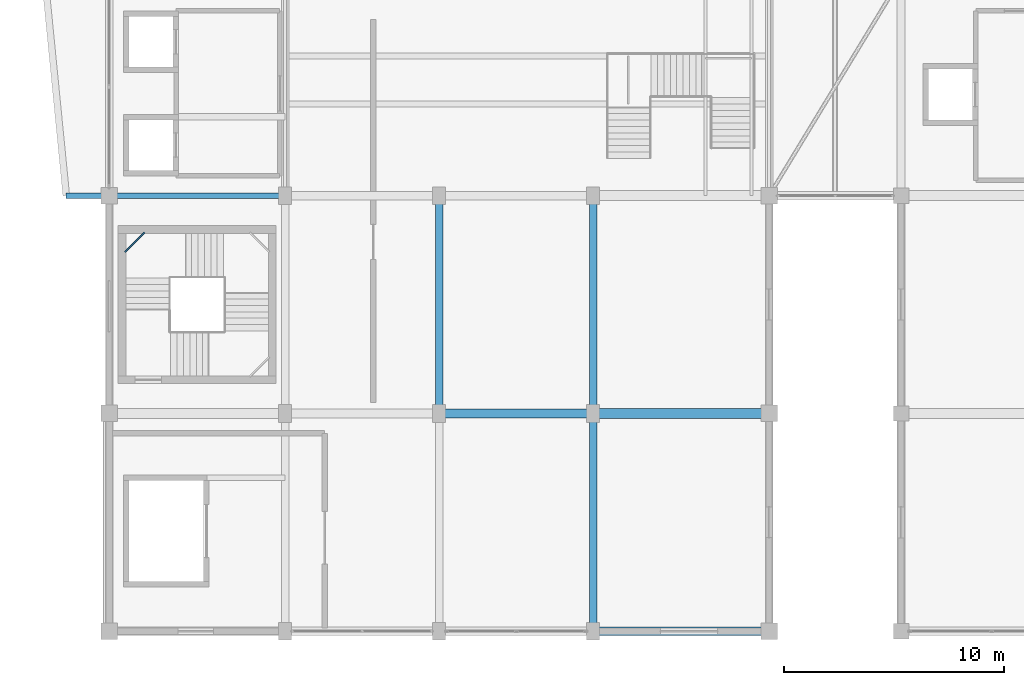
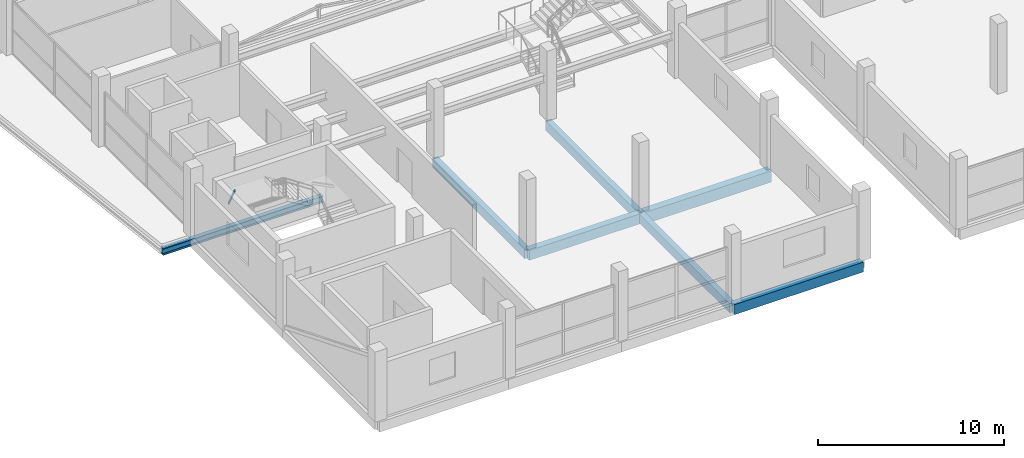
# One storey, part 5 of 55: 8 beams.
"""IFC4 building model written with IfcOpenShell, lengths in metres."""

from ifc_helpers import new_model, si_unit, direction, frame, origin, origin_2d, place, context, subcontext, project, spatial, rectangle, hollow_rectangle, i_section, extrude, material, material_profile, profile_set, type_object, element, save


model = new_model("IFC4")

# Units and contexts
model_context = context("Model", 3, precision=1e-05, world=origin(), true_north=direction((0.0, 1.0)))
body_context = subcontext(model_context, "Body", "Model", "MODEL_VIEW")
ifc_project = project(units=[si_unit("LENGTHUNIT", "METRE"), si_unit("AREAUNIT", "SQUARE_METRE"), si_unit("VOLUMEUNIT", "CUBIC_METRE"), si_unit("PLANEANGLEUNIT", "RADIAN"), si_unit("MASSUNIT", "GRAM", prefix="KILO")], contexts=[model_context])

# Site, building, storey
site_placement = place(None, origin())
site = spatial("IfcSite", under=ifc_project, at=site_placement, CompositionType="ELEMENT")
building_placement = place(site_placement, origin())
building = spatial("IfcBuilding", under=site, at=building_placement, Name="Sillaruma Civic Art Gallery", CompositionType="ELEMENT")
storey_placement = place(building_placement, frame((0.0, 0.0, 37.739990234375)))
storey = spatial("IfcBuildingStorey", under=building, at=storey_placement, Name="L07", CompositionType="ELEMENT", Elevation=37.739990234375)

# Beams
ifc_material_1 = material(Name="Concrete H35 (35 MPa)", Category="concrete")
ifc_material_profile_1 = material_profile(ifc_material_1, rectangle(XDim=0.35009765625, YDim=0.60009765625, at=origin_2d()), Name="RCB350x600")
ifc_profile_set_1 = profile_set([ifc_material_profile_1], Name="Concrete H35 (35 MPa)")
beam_type_1 = type_object("IfcBeamType", Name="BM-BEAM-RCB350x600", PredefinedType="BEAM", material=ifc_profile_set_1)
beam_1_placement = place(storey_placement, frame((77.0, 29.699951171875, -0.5400390625), z_axis=(0.0, 1.0, 0.0), x_axis=(-1.0, 0.0, 0.0)))
element("IfcBeam", 1, at=beam_1_placement, inside=storey, type_object=beam_type_1, Name="Beam BM-06 (L06:H:4-5)", PredefinedType="BEAM", context=body_context, shape_type="SweptSolid", body=[
    extrude(rectangle(XDim=0.35009765625, YDim=0.60009765625, at=origin_2d()), origin(), (0.0, 0.0, 1.0), 9.900146484375),
])
beam_2_placement = place(storey_placement, frame((84.0, 19.800048828125, -0.5400390625), z_axis=(0.0, 1.0, 0.0), x_axis=(-1.0, 0.0, 0.0)))
element("IfcBeam", 2, at=beam_2_placement, inside=storey, type_object=beam_type_1, Name="Beam BM-06 (L06:J:3-4)", PredefinedType="BEAM", context=body_context, shape_type="SweptSolid", body=[
    extrude(rectangle(XDim=0.35009765625, YDim=0.60009765625, at=origin_2d()), origin(), (0.0, 0.0, 1.0), 9.89990234375),
])
beam_3_placement = place(storey_placement, frame((84.0, 29.699951171875, -0.5400390625), z_axis=(0.0, 1.0, 0.0), x_axis=(-1.0, 0.0, 0.0)))
element("IfcBeam", 3, at=beam_3_placement, inside=storey, type_object=beam_type_1, Name="Beam BM-06 (L06:J:4-5)", PredefinedType="BEAM", context=body_context, shape_type="SweptSolid", body=[
    extrude(rectangle(XDim=0.35009765625, YDim=0.60009765625, at=origin_2d()), origin(), (0.0, 0.0, 1.0), 9.900146484375),
])
ifc_material_profile_2 = material_profile(ifc_material_1, rectangle(XDim=0.39990234375, YDim=0.64990234375, at=origin_2d()), Name="RCB400x650")
ifc_profile_set_2 = profile_set([ifc_material_profile_2], Name="Concrete H35 (35 MPa)")
beam_type_2 = type_object("IfcBeamType", Name="BM-BEAM-RCB400x650", PredefinedType="BEAM", material=ifc_profile_set_2)
beam_4_placement = place(storey_placement, frame((77.0, 29.699951171875, -0.56494140625), z_axis=(1.0, 0.0, 0.0), x_axis=(0.0, 1.0, 0.0)))
element("IfcBeam", 4, at=beam_4_placement, inside=storey, type_object=beam_type_2, Name="Beam BM-05 (L06:4:H-J)", PredefinedType="BEAM", context=body_context, shape_type="SweptSolid", body=[
    extrude(rectangle(XDim=0.39990234375, YDim=0.64990234375, at=origin_2d()), origin(), (0.0, 0.0, 1.0), 7.0),
])
ifc_material_2 = material(Name="Concrete H40 (40 MPa)", Category="concrete")
ifc_material_profile_3 = material_profile(ifc_material_2, rectangle(XDim=0.449951171875, YDim=0.75, at=origin_2d()), Name="RCB450x750")
ifc_profile_set_3 = profile_set([ifc_material_profile_3], Name="Concrete H40 (40 MPa)")
beam_type_3 = type_object("IfcBeamType", Name="BM-BEAM-RCB450x750", PredefinedType="BEAM", material=ifc_profile_set_3)
beam_5_placement = place(storey_placement, frame((84.0, 29.699951171875, -0.614990234375), z_axis=(1.0, 0.0, 0.0), x_axis=(0.0, 1.0, 0.0)))
element("IfcBeam", 5, at=beam_5_placement, inside=storey, type_object=beam_type_3, Name="Beam BM-03 (L06:4:J-K)", PredefinedType="BEAM", context=body_context, shape_type="SweptSolid", body=[
    extrude(rectangle(XDim=0.449951171875, YDim=0.75, at=origin_2d()), origin(), (0.0, 0.0, 1.0), 8.0),
])
ifc_material_3 = material(Name="Structural Steel ASTM A500 Gr.C", Category="steel")
ifc_material_profile_4 = material_profile(ifc_material_3, hollow_rectangle(XDim=0.080078125, YDim=0.159912109375, WallThickness=0.008056640625, InnerFilletRadius=0.008056640625, OuterFilletRadius=0.01611328125, at=origin_2d()), Name="HSS160x80x8")
ifc_profile_set_4 = profile_set([ifc_material_profile_4], Name="Structural Steel ASTM A500 Gr.C")
beam_type_4 = type_object("IfcBeamType", Name="BM-LND-HSS160", PredefinedType="BEAM", material=ifc_profile_set_4)
beam_6_placement = place(storey_placement, frame((62.719970703125, 37.0400390625, 3.2900390625), z_axis=(0.707203758046, 0.707009791025, 0.0), x_axis=(-0.707009791025, 0.707203758046, 0.0)))
element("IfcBeam", 6, at=beam_6_placement, inside=storey, type_object=beam_type_4, Name="Stair Corner Landing Trimmer Beam (ST-03-L07-3)", PredefinedType="BEAM", context=body_context, shape_type="SweptSolid", body=[
    extrude(hollow_rectangle(XDim=0.080078125, YDim=0.159912109375, WallThickness=0.008056640625, InnerFilletRadius=0.008056640625, OuterFilletRadius=0.01611328125, at=origin_2d()), origin(), (0.0, 0.0, 1.0), 1.2587890625),
])
ifc_material_4 = material(Name="Structural Steel ASTM A992 Gr.50", Category="steel")
ifc_material_profile_5 = material_profile(ifc_material_4, i_section(OverallWidth=0.264892578125, OverallDepth=0.430908203125, WebThickness=0.014892578125, FlangeThickness=0.02490234375, FilletRadius=0.012939453125, at=origin_2d()), Name="W410x149")
ifc_profile_set_5 = profile_set([ifc_material_profile_5], Name="Structural Steel ASTM A992 Gr.50")
beam_type_5 = type_object("IfcBeamType", Name="BM-PROW-W410x149", PredefinedType="BEAM", material=ifc_profile_set_5)
beam_7_placement = place(storey_placement, frame((70.0, 39.60009765625, -0.45556640625), z_axis=(-1.0, 0.0, 0.0), x_axis=(0.0, -1.0, 0.0)))
element("IfcBeam", 7, at=beam_7_placement, inside=storey, type_object=beam_type_5, Name="Back-Spanned Prow Beam (PRW-L06-W-ROF-S)", PredefinedType="BEAM", context=body_context, shape_type="SweptSolid", body=[
    extrude(i_section(OverallWidth=0.264892578125, OverallDepth=0.430908203125, WebThickness=0.014892578125, FlangeThickness=0.02490234375, FilletRadius=0.012939453125, at=origin_2d()), origin(), (0.0, 0.0, 1.0), 9.949951171875),
])
ifc_material_profile_6 = material_profile(ifc_material_1, rectangle(XDim=0.39990234375, YDim=0.64990234375, at=origin_2d()), Name="RCB400x650")
ifc_profile_set_6 = profile_set([ifc_material_profile_6], Name="Concrete H35 (35 MPa)")
beam_type_6 = type_object("IfcBeamType", Name="BM-SPANDREL-RCB400x650", PredefinedType="SPANDREL", material=ifc_profile_set_6)
beam_8_placement = place(storey_placement, frame((84.0, 19.800048828125, -0.56494140625), z_axis=(1.0, 0.0, 0.0), x_axis=(0.0, 1.0, 0.0)))
element("IfcBeam", 8, at=beam_8_placement, inside=storey, type_object=beam_type_6, Name="Beam BS-02 (L06:3:J-K)", PredefinedType="SPANDREL", context=body_context, shape_type="SweptSolid", body=[
    extrude(rectangle(XDim=0.39990234375, YDim=0.64990234375, at=origin_2d()), origin(), (0.0, 0.0, 1.0), 8.0),
])

save(model, "model.ifc")
